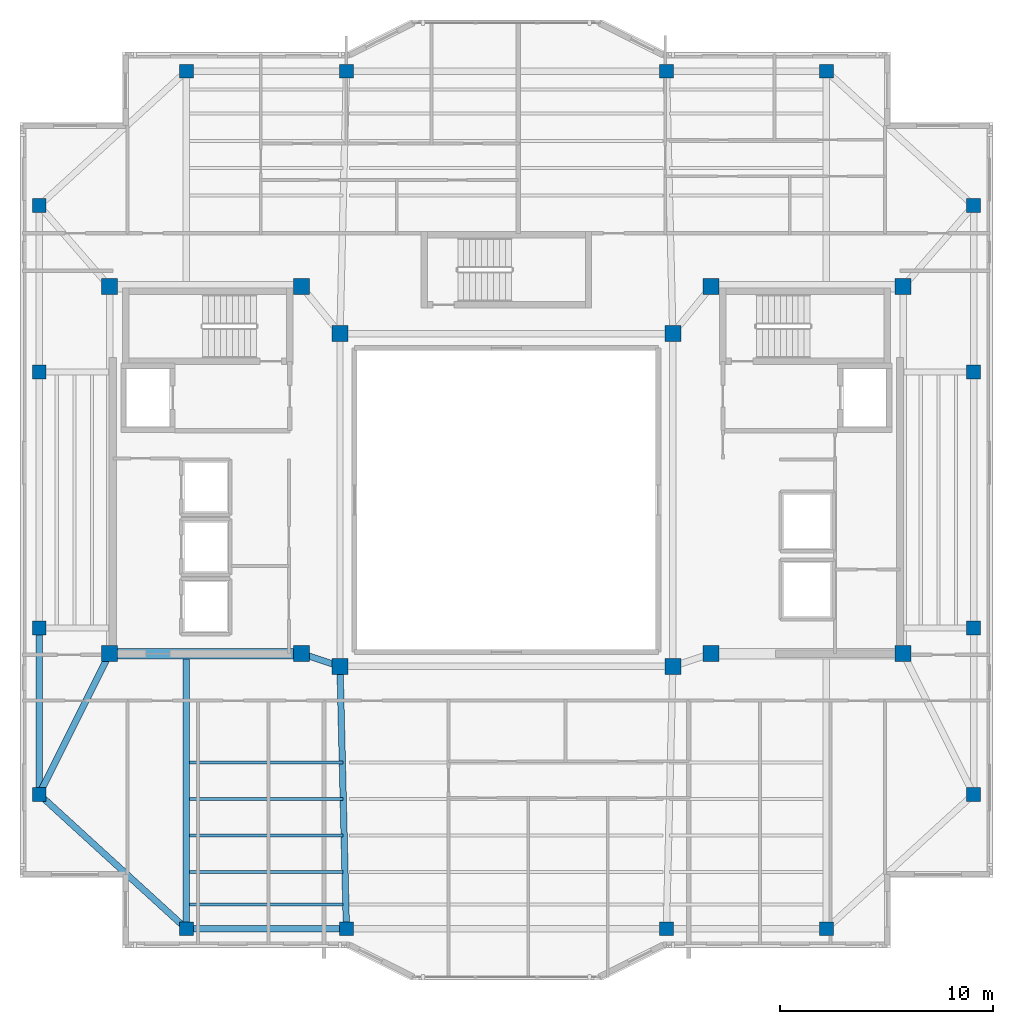
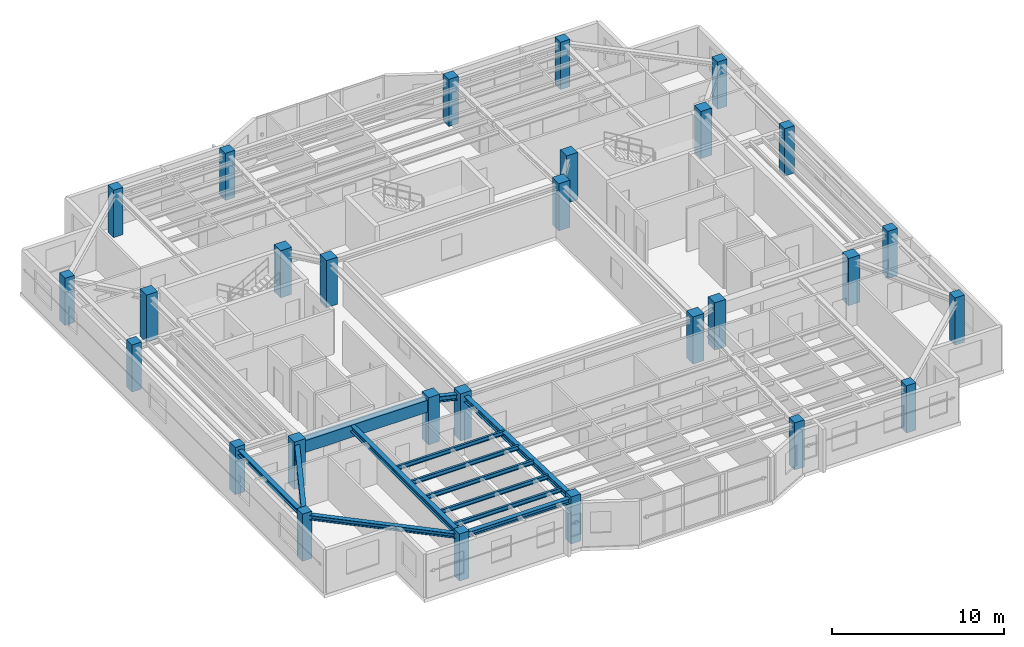
# One storey, part 1 of 13: 28 columns, 13 beams.
"""IFC4 building model written with IfcOpenShell, lengths in metres."""

from ifc_helpers import new_model, si_unit, direction, frame, origin, origin_2d, place, context, subcontext, project, spatial, rectangle, i_section, extrude, material, material_profile, profile_set, type_object, element, save


model = new_model("IFC4")

# Units and contexts
model_context = context("Model", 3, precision=1e-05, world=origin(), true_north=direction((0.0, 1.0)))
body_context = subcontext(model_context, "Body", "Model", "MODEL_VIEW")
ifc_project = project(units=[si_unit("LENGTHUNIT", "METRE"), si_unit("AREAUNIT", "SQUARE_METRE"), si_unit("VOLUMEUNIT", "CUBIC_METRE"), si_unit("PLANEANGLEUNIT", "RADIAN"), si_unit("MASSUNIT", "GRAM", prefix="KILO")], contexts=[model_context])

# Site, building, storey
site_placement = place(None, origin())
site = spatial("IfcSite", under=ifc_project, at=site_placement, CompositionType="ELEMENT")
building_placement = place(site_placement, origin())
building = spatial("IfcBuilding", under=site, at=building_placement, Name="Tarnavaz Court Tower", CompositionType="ELEMENT")
storey_placement = place(building_placement, frame((0.0, 0.0, 251.550048828125)))
storey = spatial("IfcBuildingStorey", under=building, at=storey_placement, Name="L68", CompositionType="ELEMENT", Elevation=251.550048828125)

# Columns
ifc_material_1 = material(Name="Concrete C50/60", Category="concrete")
ifc_material_profile_1 = material_profile(ifc_material_1, rectangle(XDim=0.64990234375, YDim=0.64990234375, at=origin_2d()), Name="RC 650X650")
ifc_profile_set_1 = profile_set([ifc_material_profile_1], Name="Concrete C50/60")
column_type_1 = type_object("IfcColumnType", Name="CL-RC650", PredefinedType="COLUMN", material=ifc_profile_set_1)
for number, where, z_axis, x_axis, name in (
    (1, (-15.0, 20.10009765625, 0.0), (0.0, 0.0, 1.0), (1.0, 0.0, 0.0), "L68 Column PN-1"),
    (2, (-7.5, 20.10009765625, 0.0), (0.0, 0.0, 1.0), (1.0, 0.0, 0.0), "L68 Column PN-2"),
    (3, (7.5, 20.10009765625, 0.0), (0.0, 0.0, 1.0), (1.0, 0.0, 0.0), "L68 Column PN-3"),
    (4, (15.0, 20.10009765625, 0.0), (0.0, 0.0, 1.0), (1.0, 0.0, 0.0), "L68 Column PN-4"),
    (5, (-15.0, -20.10009765625, 0.0), (0.0, 0.0, 1.0), (1.0, 0.0, 0.0), "L68 Column PS-1"),
    (6, (-7.5, -20.10009765625, 0.0), (0.0, 0.0, 1.0), (1.0, 0.0, 0.0), "L68 Column PS-2"),
    (7, (7.5, -20.10009765625, 0.0), (0.0, 0.0, 1.0), (1.0, 0.0, 0.0), "L68 Column PS-3"),
    (8, (15.0, -20.10009765625, 0.0), (0.0, 0.0, 1.0), (1.0, 0.0, 0.0), "L68 Column PS-4"),
    (9, (21.89990234375, -13.800048828125, 0.0), (0.0, 0.0, 1.0), (1.0, 0.0, 0.0), "L68 Column PE-1"),
    (10, (21.89990234375, -6.0, 0.0), (0.0, 0.0, 1.0), (1.0, 0.0, 0.0), "L68 Column PE-2"),
    (11, (21.89990234375, 6.0, 0.0), (0.0, 0.0, 1.0), (1.0, 0.0, 0.0), "L68 Column PE-3"),
    (12, (21.89990234375, 13.800048828125, 0.0), (0.0, 0.0, 1.0), (1.0, 0.0, 0.0), "L68 Column PE-4"),
    (13, (-21.89990234375, -13.800048828125, 0.0), (0.0, 0.0, 1.0), (1.0, 0.0, 0.0), "L68 Column PW-1"),
    (14, (-21.89990234375, -6.0, 0.0), (0.0, 0.0, 1.0), (1.0, 0.0, 0.0), "L68 Column PW-2"),
    (15, (-21.89990234375, 6.0, 0.0), (0.0, 0.0, 1.0), (1.0, 0.0, 0.0), "L68 Column PW-3"),
    (16, (-21.89990234375, 13.800048828125, 0.0), (0.0, 0.0, 1.0), (1.0, 0.0, 0.0), "L68 Column PW-4"),
):
    element("IfcColumn", number, at=place(storey_placement, frame(where, z_axis=z_axis, x_axis=x_axis)), inside=storey, type_object=column_type_1, Name=name, PredefinedType="COLUMN", context=body_context, shape_type="SweptSolid", body=[
        extrude(rectangle(XDim=0.64990234375, YDim=0.64990234375, at=origin_2d()), origin(), (0.0, 0.0, 1.0), 3.349853515625),
    ])
ifc_material_profile_2 = material_profile(ifc_material_1, rectangle(XDim=0.75, YDim=0.75, at=origin_2d()), Name="RC 750X750")
ifc_profile_set_2 = profile_set([ifc_material_profile_2], Name="Concrete C50/60")
column_type_2 = type_object("IfcColumnType", Name="CL-RC750", PredefinedType="COLUMN", material=ifc_profile_set_2)
for number, where, z_axis, x_axis, name in (
    (17, (-7.800048828125, -7.800048828125, 0.0), (0.0, 0.0, 1.0), (1.0, 0.0, 0.0), "L68 Column IW-SW"),
    (18, (7.800048828125, -7.800048828125, 0.0), (0.0, 0.0, 1.0), (1.0, 0.0, 0.0), "L68 Column IW-SE"),
    (19, (-7.800048828125, 7.800048828125, 0.0), (0.0, 0.0, 1.0), (1.0, 0.0, 0.0), "L68 Column IW-NW"),
    (20, (7.800048828125, 7.800048828125, 0.0), (0.0, 0.0, 1.0), (1.0, 0.0, 0.0), "L68 Column IW-NE"),
    (21, (-9.60009765625, -7.199951171875, 0.0), (0.0, 0.0, 1.0), (1.0, 0.0, 0.0), "L68 Column CW-SI"),
    (22, (-9.60009765625, 10.0, 0.0), (0.0, 0.0, 1.0), (1.0, 0.0, 0.0), "L68 Column CW-NI"),
    (23, (9.60009765625, -7.199951171875, 0.0), (0.0, 0.0, 1.0), (1.0, 0.0, 0.0), "L68 Column CE-SI"),
    (24, (9.60009765625, 10.0, 0.0), (0.0, 0.0, 1.0), (1.0, 0.0, 0.0), "L68 Column CE-NI"),
    (25, (-18.60009765625, -7.199951171875, 0.0), (0.0, 0.0, 1.0), (1.0, 0.0, 0.0), "L68 Column CW-SO"),
    (26, (-18.60009765625, 10.0, 0.0), (0.0, 0.0, 1.0), (1.0, 0.0, 0.0), "L68 Column CW-NO"),
    (27, (18.60009765625, -7.199951171875, 0.0), (0.0, 0.0, 1.0), (1.0, 0.0, 0.0), "L68 Column CE-SO"),
    (28, (18.60009765625, 10.0, 0.0), (0.0, 0.0, 1.0), (1.0, 0.0, 0.0), "L68 Column CE-NO"),
):
    element("IfcColumn", number, at=place(storey_placement, frame(where, z_axis=z_axis, x_axis=x_axis)), inside=storey, type_object=column_type_2, Name=name, PredefinedType="COLUMN", context=body_context, shape_type="SweptSolid", body=[
        extrude(rectangle(XDim=0.75, YDim=0.75, at=origin_2d()), origin(), (0.0, 0.0, 1.0), 3.349853515625),
    ])

# Beams
ifc_material_profile_3 = material_profile(ifc_material_1, rectangle(XDim=0.5, YDim=0.85009765625, at=origin_2d()), Name="RC 500X850")
ifc_profile_set_3 = profile_set([ifc_material_profile_3], Name="Concrete C50/60")
beam_type_1 = type_object("IfcBeamType", Name="BM-CB850", PredefinedType="LINTEL", material=ifc_profile_set_3)
beam_1_placement = place(storey_placement, frame((-18.3798828125, -7.199951171875, 2.675048828125), z_axis=(1.0, 0.0, 0.0), x_axis=(0.0, 1.0, 0.0)))
element("IfcBeam", 29, at=beam_1_placement, inside=storey, type_object=beam_type_1, Name="L68 Beam IN-CW-SO-CW-SI", PredefinedType="LINTEL", context=body_context, shape_type="SweptSolid", body=[
    extrude(rectangle(XDim=0.5, YDim=0.85009765625, at=origin_2d()), origin(), (0.0, 0.0, 1.0), 8.559814453125),
])
ifc_material_2 = material(Name="Steel S355", Category="steel")
ifc_material_profile_4 = material_profile(ifc_material_2, i_section(OverallWidth=0.300048828125, OverallDepth=0.39990234375, WebThickness=0.013427734375, FlangeThickness=0.02392578125, FilletRadius=0.027099609375, at=origin_2d()), Name="HEB 400")
ifc_profile_set_4 = profile_set([ifc_material_profile_4], Name="Steel S355")
beam_type_2 = type_object("IfcBeamType", Name="BM-G-HEB400", PredefinedType="USERDEFINED", material=ifc_profile_set_4)
beam_2_placement = place(storey_placement, frame((-9.391357421875, -7.26953125, 2.89990234375), z_axis=(0.948666544706, -0.316278021615, 0.0), x_axis=(0.316278021615, 0.948666544706, 0.0)))
element("IfcBeam", 30, at=beam_2_placement, inside=storey, type_object=beam_type_2, Name="L68 Beam IN-CW-SI-IW-SW", ObjectType="GIRDER", PredefinedType="USERDEFINED", context=body_context, shape_type="SweptSolid", body=[
    extrude(i_section(OverallWidth=0.300048828125, OverallDepth=0.39990234375, WebThickness=0.013427734375, FlangeThickness=0.02392578125, FilletRadius=0.027099609375, at=origin_2d()), origin(), (0.0, 0.0, 1.0), 1.457275390625),
])
beam_3_placement = place(storey_placement, frame((-15.0, -7.239990234375, 2.89990234375), z_axis=(0.0, -1.0, 0.0), x_axis=(1.0, 0.0, 0.0)))
element("IfcBeam", 31, at=beam_3_placement, inside=storey, type_object=beam_type_2, Name="L68 Beam RG-05", ObjectType="GIRDER", PredefinedType="USERDEFINED", context=body_context, shape_type="SweptSolid", body=[
    extrude(i_section(OverallWidth=0.300048828125, OverallDepth=0.39990234375, WebThickness=0.013427734375, FlangeThickness=0.02392578125, FilletRadius=0.027099609375, at=origin_2d()), origin(), (0.0, 0.0, 1.0), 12.639892578125),
])
beam_4_placement = place(storey_placement, frame((-7.794677734375, -8.02001953125, 2.89990234375), z_axis=(0.024386002211, -0.99970261723, 0.0), x_axis=(0.99970261723, 0.024386002211, 0.0)))
element("IfcBeam", 32, at=beam_4_placement, inside=storey, type_object=beam_type_2, Name="L68 Beam RG-06", ObjectType="GIRDER", PredefinedType="USERDEFINED", context=body_context, shape_type="SweptSolid", body=[
    extrude(i_section(OverallWidth=0.300048828125, OverallDepth=0.39990234375, WebThickness=0.013427734375, FlangeThickness=0.02392578125, FilletRadius=0.027099609375, at=origin_2d()), origin(), (0.0, 0.0, 1.0), 11.863525390625),
])
beam_5_placement = place(storey_placement, frame((-18.698486328125, -7.396728515625, 2.89990234375), z_axis=(-0.447185448279, -0.894441264057, 0.0), x_axis=(0.894441264057, -0.447185448279, 0.0)))
element("IfcBeam", 33, at=beam_5_placement, inside=storey, type_object=beam_type_2, Name="L68 Beam RG-15", ObjectType="GIRDER", PredefinedType="USERDEFINED", context=body_context, shape_type="SweptSolid", body=[
    extrude(i_section(OverallWidth=0.300048828125, OverallDepth=0.39990234375, WebThickness=0.013427734375, FlangeThickness=0.02392578125, FilletRadius=0.027099609375, at=origin_2d()), origin(), (0.0, 0.0, 1.0), 6.93896484375),
])
ifc_material_profile_5 = material_profile(ifc_material_2, i_section(OverallWidth=0.14990234375, OverallDepth=0.300048828125, WebThickness=0.007080078125, FlangeThickness=0.0107421875, FilletRadius=0.014892578125, at=origin_2d()), Name="IPE 300")
ifc_profile_set_5 = profile_set([ifc_material_profile_5], Name="Steel S355")
beam_type_3 = type_object("IfcBeamType", Name="BM-J-IPE300", PredefinedType="JOIST", material=ifc_profile_set_5)
for number, where, z_axis, x_axis, name in (
    (34, (-14.85009765625, -12.31005859375, 2.949951171875), (1.0, 0.0, 0.0), (0.0, 1.0, 0.0), "L68 Beam JS1-1"),
    (35, (-14.85009765625, -14.02001953125, 2.949951171875), (1.0, 0.0, 0.0), (0.0, 1.0, 0.0), "L68 Beam JS2-1"),
    (36, (-14.85009765625, -15.72998046875, 2.949951171875), (1.0, 0.0, 0.0), (0.0, 1.0, 0.0), "L68 Beam JS3-1"),
    (37, (-14.85009765625, -17.43994140625, 2.949951171875), (1.0, 0.0, 0.0), (0.0, 1.0, 0.0), "L68 Beam JS4-1"),
    (38, (-14.85009765625, -18.9599609375, 2.949951171875), (1.0, 0.0, 0.0), (0.0, 1.0, 0.0), "L68 Beam JS5-1"),
):
    element("IfcBeam", number, at=place(storey_placement, frame(where, z_axis=z_axis, x_axis=x_axis)), inside=storey, type_object=beam_type_3, Name=name, PredefinedType="JOIST", context=body_context, shape_type="SweptSolid", body=[
        extrude(i_section(OverallWidth=0.14990234375, OverallDepth=0.300048828125, WebThickness=0.007080078125, FlangeThickness=0.0107421875, FilletRadius=0.014892578125, at=origin_2d()), origin(), (0.0, 0.0, 1.0), 7.2001953125),
    ])
ifc_material_profile_6 = material_profile(ifc_material_2, i_section(OverallWidth=0.300048828125, OverallDepth=0.330078125, WebThickness=0.009521484375, FlangeThickness=0.0166015625, FilletRadius=0.027099609375, at=origin_2d()), Name="HEA 340")
ifc_profile_set_6 = profile_set([ifc_material_profile_6], Name="Steel S355")
beam_type_4 = type_object("IfcBeamType", Name="BM-SP-HEA340", PredefinedType="BEAM", material=ifc_profile_set_6)
beam_6_placement = place(storey_placement, frame((-14.780029296875, -20.10009765625, 2.93505859375), z_axis=(1.0, 0.0, 0.0), x_axis=(0.0, 1.0, 0.0)))
element("IfcBeam", 39, at=beam_6_placement, inside=storey, type_object=beam_type_4, Name="L68 Beam PR-PS-1-PS-2", PredefinedType="BEAM", context=body_context, shape_type="SweptSolid", body=[
    extrude(i_section(OverallWidth=0.300048828125, OverallDepth=0.330078125, WebThickness=0.009521484375, FlangeThickness=0.0166015625, FilletRadius=0.027099609375, at=origin_2d()), origin(), (0.0, 0.0, 1.0), 7.06005859375),
])
beam_7_placement = place(storey_placement, frame((-21.89990234375, -13.580078125, 2.93505859375), z_axis=(0.0, 1.0, 0.0), x_axis=(-1.0, 0.0, 0.0)))
element("IfcBeam", 40, at=beam_7_placement, inside=storey, type_object=beam_type_4, Name="L68 Beam PR-PW-1-PW-2", PredefinedType="BEAM", context=body_context, shape_type="SweptSolid", body=[
    extrude(i_section(OverallWidth=0.300048828125, OverallDepth=0.330078125, WebThickness=0.009521484375, FlangeThickness=0.0166015625, FilletRadius=0.027099609375, at=origin_2d()), origin(), (0.0, 0.0, 1.0), 7.360107421875),
])
beam_8_placement = place(storey_placement, frame((-15.16259765625, -19.95166015625, 2.93505859375), z_axis=(-0.738474214476, 0.674281717499, 0.0), x_axis=(-0.674281717499, -0.738474214476, 0.0)))
element("IfcBeam", 41, at=beam_8_placement, inside=storey, type_object=beam_type_4, Name="L68 Beam PR-PS-1-PW-1", PredefinedType="BEAM", context=body_context, shape_type="SweptSolid", body=[
    extrude(i_section(OverallWidth=0.300048828125, OverallDepth=0.330078125, WebThickness=0.009521484375, FlangeThickness=0.0166015625, FilletRadius=0.027099609375, at=origin_2d()), origin(), (0.0, 0.0, 1.0), 8.9033203125),
])

save(model, "model.ifc")
